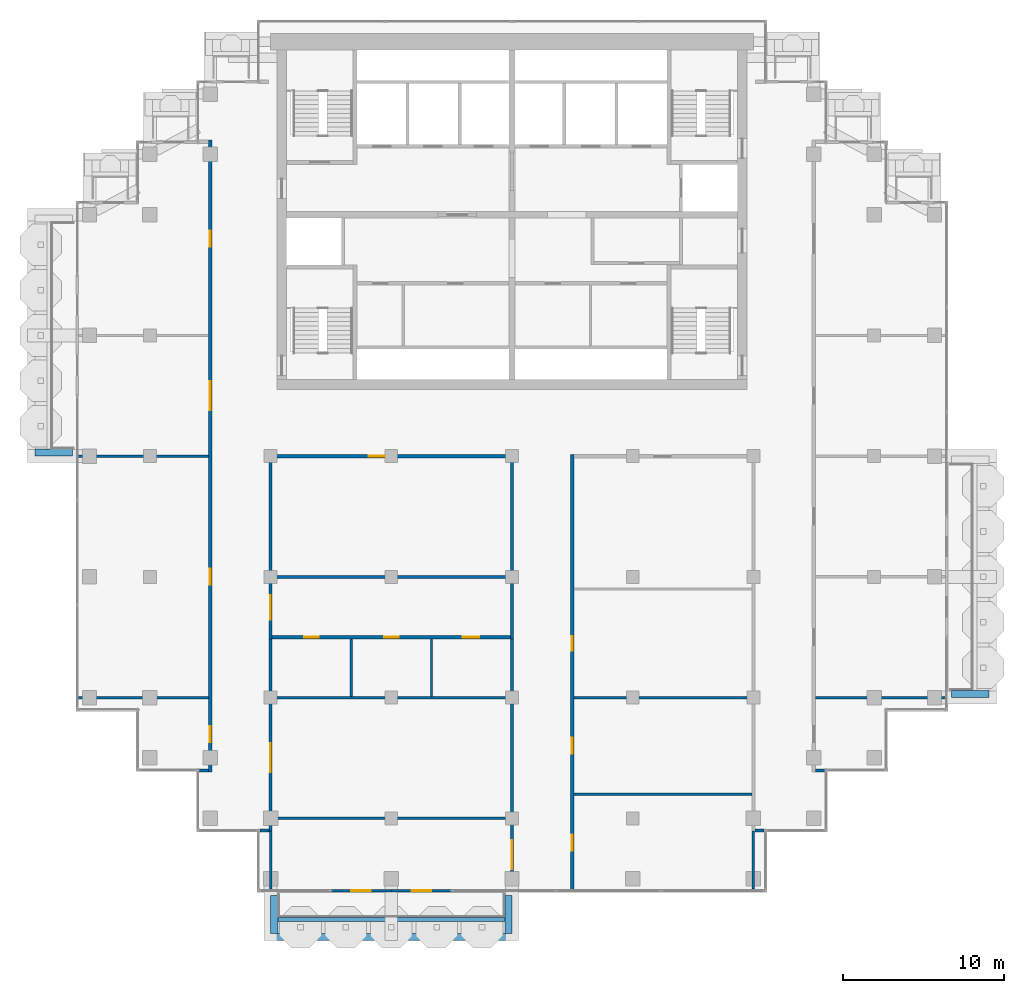
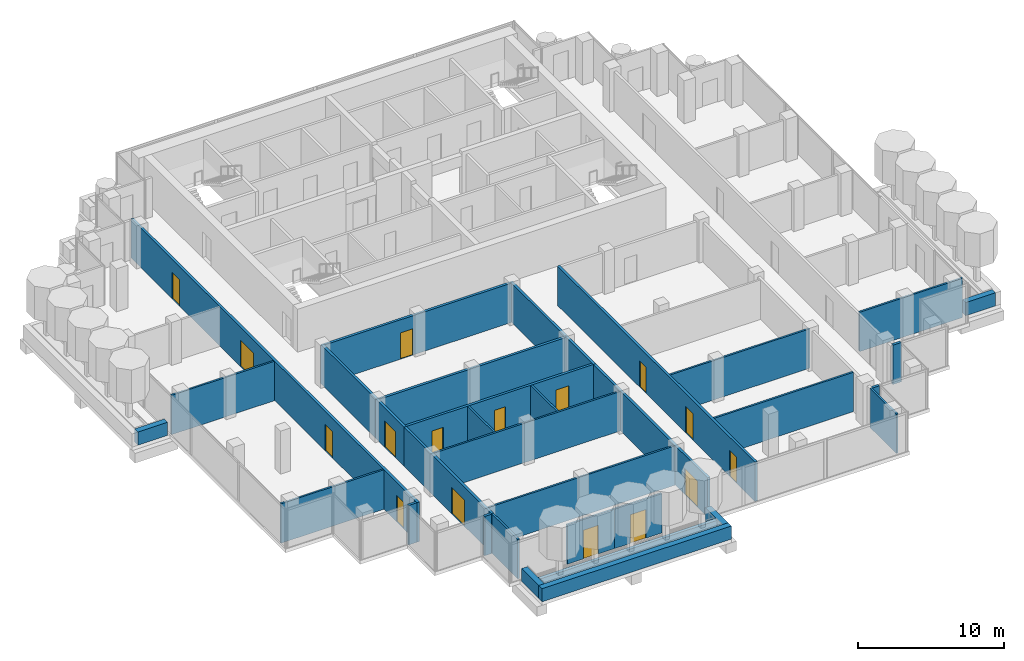
# One storey, part 11 of 18: 34 walls, 16 doors, 16 openings.
"""IFC4 building model written with IfcOpenShell, lengths in metres."""

from ifc_helpers import new_model, si_unit, direction, frame, frame_2d, origin, place, context, subcontext, project, spatial, rectangle, extrude, material, layer, layer_set, type_object, element, fill, save


model = new_model("IFC4")

# Units and contexts
model_context = context("Model", 3, precision=1e-05, world=origin(), true_north=direction((0.0, 1.0)))
body_context = subcontext(model_context, "Body", "Model", "MODEL_VIEW")
ifc_project = project(units=[si_unit("LENGTHUNIT", "METRE"), si_unit("AREAUNIT", "SQUARE_METRE"), si_unit("VOLUMEUNIT", "CUBIC_METRE"), si_unit("PLANEANGLEUNIT", "RADIAN"), si_unit("MASSUNIT", "GRAM", prefix="KILO")], contexts=[model_context])

# Site, building, storey
site_placement = place(None, origin())
site = spatial("IfcSite", under=ifc_project, at=site_placement, CompositionType="ELEMENT")
building_placement = place(site_placement, origin())
building = spatial("IfcBuilding", under=site, at=building_placement, Name="Pilkhan Gate Tower", CompositionType="ELEMENT")
storey_placement = place(building_placement, frame((0.0, 0.0, 242.699951171875)))
storey = spatial("IfcBuildingStorey", under=building, at=storey_placement, Name="L63", CompositionType="ELEMENT", Elevation=242.699951171875)

# Walls
ifc_material_1 = material(Name="Concrete C40/50", Category="concrete")
ifc_layer_1 = layer(ifc_material_1, 0.25)
ifc_layer_set_1 = layer_set([ifc_layer_1], Name="Balcony planter BP250")
wall_type_1 = type_object("IfcWallType", Name="Balcony planter BP250", PredefinedType="USERDEFINED", material=ifc_layer_set_1)
wall_1_placement = place(storey_placement, frame((60.449951171875, 38.72509765625, 0.0), z_axis=(0.0, 0.0, 1.0), x_axis=(1.0, 0.0, 0.0)))
element("IfcWall", 1, at=wall_1_placement, inside=storey, type_object=wall_type_1, Name="Balcony planter L63 S", ObjectType="BALCONY PLANTER", PredefinedType="USERDEFINED", context=body_context, shape_type="SweptSolid", body=[
    extrude(rectangle(XDim=14.10009765625, YDim=0.25, at=frame_2d((7.050048828125, 0.0))), origin(), (0.0, 0.0, 1.0), 1.0),
])
ifc_material_2 = material(Name="Board-marked Concrete C40/50", Category="concrete")
ifc_layer_2 = layer(ifc_material_2, 0.449951171875)
ifc_layer_set_2 = layer_set([ifc_layer_2], Name="Balcony planter lip BL450")
wall_type_2 = type_object("IfcWallType", Name="Balcony planter lip BL450", PredefinedType="USERDEFINED", material=ifc_layer_set_2)
wall_2_placement = place(storey_placement, frame((60.0, 37.625, 0.0), z_axis=(0.0, 0.0, 1.0), x_axis=(1.0, 0.0, 0.0)))
element("IfcWall", 2, at=wall_2_placement, inside=storey, type_object=wall_type_2, Name="Balcony planter L63 S", ObjectType="BALCONY PLANTER", PredefinedType="USERDEFINED", context=body_context, shape_type="SweptSolid", body=[
    extrude(rectangle(XDim=15.0, YDim=0.449951171875, at=frame_2d((7.5, 0.0))), origin(), (0.0, 0.0, 1.0), 1.10009765625),
])
for number, where, z_axis, x_axis, name in (
    (3, (60.22509765625, 40.199951171875, 0.0), (0.0, 0.0, 1.0), (0.0, -1.0, 0.0), "Balcony planter L63 S"),
    (4, (74.77490234375, 40.199951171875, 0.0), (0.0, 0.0, 1.0), (0.0, -1.0, 0.0), "Balcony planter L63 S"),
    (5, (102.300048828125, 52.72509765625, 0.0), (0.0, 0.0, 1.0), (1.0, 0.0, 0.0), "Balcony planter L63 E"),
    (6, (47.699951171875, 67.72509765625, 0.0), (0.0, 0.0, 1.0), (-1.0, 0.0, 0.0), "Balcony planter L63 W"),
):
    element("IfcWall", number, at=place(storey_placement, frame(where, z_axis=z_axis, x_axis=x_axis)), inside=storey, type_object=wall_type_2, Name=name, ObjectType="BALCONY PLANTER", PredefinedType="USERDEFINED", context=body_context, shape_type="SweptSolid", body=[
        extrude(rectangle(XDim=2.349853515625, YDim=0.449951171875, at=frame_2d((1.1748046875, 0.0))), origin(), (0.0, 0.0, 1.0), 1.10009765625),
    ])
ifc_material_3 = material(Name="Dense blockwork", Category="masonry")
ifc_layer_3 = layer(ifc_material_3, 0.199951171875)
ifc_layer_set_3 = layer_set([ifc_layer_3], Name="Corridor wall FW200")
wall_type_3 = type_object("IfcWallType", Name="Corridor wall FW200", PredefinedType="PARTITIONING", material=ifc_layer_set_3)
for number, where, z_axis, x_axis, name in (
    (7, (59.35498046875, 44.235107421875, 0.0), (0.0, 0.0, 1.0), (1.0, 0.0, 0.0), "Partition L63"),
    (8, (90.10009765625, 44.235107421875, 0.0), (0.0, 0.0, 1.0), (1.0, 0.0, 0.0), "Partition L63"),
):
    element("IfcWall", number, at=place(storey_placement, frame(where, z_axis=z_axis, x_axis=x_axis)), inside=storey, type_object=wall_type_3, Name=name, PredefinedType="PARTITIONING", context=body_context, shape_type="SweptSolid", body=[
        extrude(rectangle(XDim=0.544921875, YDim=0.199951171875, at=frame_2d((0.2724609375, 0.0))), origin(), (0.0, 0.0, 1.0), 3.300048828125),
    ])
for number, where, z_axis, x_axis, name in (
    (9, (55.485107421875, 47.969970703125, 0.0), (0.0, 0.0, 1.0), (1.0, 0.0, 0.0), "Partition L63"),
    (10, (93.85009765625, 47.969970703125, 0.0), (0.0, 0.0, 1.0), (1.0, 0.0, 0.0), "Partition L63"),
):
    element("IfcWall", number, at=place(storey_placement, frame(where, z_axis=z_axis, x_axis=x_axis)), inside=storey, type_object=wall_type_3, Name=name, PredefinedType="PARTITIONING", context=body_context, shape_type="SweptSolid", body=[
        extrude(rectangle(XDim=0.664794921875, YDim=0.199951171875, at=frame_2d((0.33251953125, 0.0))), origin(), (0.0, 0.0, 1.0), 3.300048828125),
    ])

# Wall, opening, door
wall_3_placement = place(storey_placement, frame((60.10009765625, 67.5, 0.0), z_axis=(0.0, 0.0, 1.0), x_axis=(1.0, 0.0, 0.0)))
wall_3 = element("IfcWall", 11, at=wall_3_placement, inside=storey, type_object=wall_type_3, Name="Partition L63", PredefinedType="PARTITIONING", context=body_context, shape_type="SweptSolid", body=[
    extrude(rectangle(XDim=14.7998046875, YDim=0.199951171875, at=frame_2d((7.39990234375, 0.0))), origin(), (0.0, 0.0, 1.0), 3.300048828125),
])
opening_1_placement = place(wall_3_placement, frame((6.0, 0.0, 0.0)))
opening_1 = element("IfcOpeningElement", 12, at=opening_1_placement, cuts=wall_3, Name="Opening L63-19", PredefinedType="OPENING", context=body_context, shape_type="SweptSolid", body=[
    extrude(rectangle(XDim=1.0, YDim=2.199951171875, at=frame_2d((0.5, 1.10009765625))), frame((0.0, 0.10986328125, 0.0), z_axis=(0.0, -1.0, 0.0), x_axis=(1.0, 0.0, 0.0)), (0.0, 0.0, 1.0), 0.219970703125),
])
ifc_material_4 = material(Name="Timber flush door, 30 minute fire resisting", Category="wood")
door_type_1 = type_object("IfcDoorType", Name="Room door D03 1000x2200", OperationType="SINGLE_SWING_LEFT", PredefinedType="DOOR", material=ifc_material_4)
door_1_placement = place(opening_1_placement, origin())
door_1 = element("IfcDoor", 13, at=door_1_placement, inside=storey, type_object=door_type_1, Name="Room door", OperationType="SINGLE_SWING_RIGHT", OverallHeight=2.199951171875, OverallWidth=1.0, PredefinedType="DOOR", context=body_context, shape_type="SweptSolid", body=[
    extrude(rectangle(XDim=1.0, YDim=2.199951171875, at=frame_2d((0.5, 1.10009765625))), frame((0.0, 0.02490234375, 0.0), z_axis=(0.0, -1.0, 0.0), x_axis=(1.0, 0.0, 0.0)), (0.0, 0.0, 1.0), 0.050048828125),
])
fill(opening_1, door_1)

# Wall, openings, doors
wall_4_placement = place(storey_placement, frame((56.25, 47.8701171875, 0.0), z_axis=(0.0, 0.0, 1.0), x_axis=(0.0, 1.0, 0.0)))
wall_4 = element("IfcWall", 14, at=wall_4_placement, inside=storey, type_object=wall_type_3, Name="Partition L63", PredefinedType="PARTITIONING", context=body_context, shape_type="SweptSolid", body=[
    extrude(rectangle(XDim=39.259765625, YDim=0.199951171875, at=frame_2d((19.6298828125, 0.0))), origin(), (0.0, 0.0, 1.0), 3.300048828125),
])
opening_2_placement = place(wall_4_placement, frame((1.85009765625, 0.0, 0.0)))
opening_2 = element("IfcOpeningElement", 15, at=opening_2_placement, cuts=wall_4, Name="Opening L63-24", PredefinedType="OPENING", context=body_context, shape_type="SweptSolid", body=[
    extrude(rectangle(XDim=1.0, YDim=2.199951171875, at=frame_2d((0.5, 1.10009765625))), frame((0.0, 0.10986328125, 0.0), z_axis=(0.0, -1.0, 0.0), x_axis=(1.0, 0.0, 0.0)), (0.0, 0.0, 1.0), 0.219970703125),
])
opening_3_placement = place(wall_4_placement, frame((11.6298828125, 0.0, 0.0)))
opening_3 = element("IfcOpeningElement", 16, at=opening_3_placement, cuts=wall_4, Name="Opening L63-25", PredefinedType="OPENING", context=body_context, shape_type="SweptSolid", body=[
    extrude(rectangle(XDim=1.0, YDim=2.199951171875, at=frame_2d((0.5, 1.10009765625))), frame((0.0, 0.10986328125, 0.0), z_axis=(0.0, -1.0, 0.0), x_axis=(1.0, 0.0, 0.0)), (0.0, 0.0, 1.0), 0.219970703125),
])
opening_4_placement = place(wall_4_placement, frame((22.47998046875, 0.0, 0.0)))
opening_4 = element("IfcOpeningElement", 17, at=opening_4_placement, cuts=wall_4, Name="Opening L63-26", PredefinedType="OPENING", context=body_context, shape_type="SweptSolid", body=[
    extrude(rectangle(XDim=1.800048828125, YDim=2.199951171875, at=frame_2d((0.89990234375, 1.10009765625))), frame((0.0, 0.10986328125, 0.0), z_axis=(0.0, -1.0, 0.0), x_axis=(1.0, 0.0, 0.0)), (0.0, 0.0, 1.0), 0.219970703125),
])
opening_5_placement = place(wall_4_placement, frame((32.6298828125, 0.0, 0.0)))
opening_5 = element("IfcOpeningElement", 18, at=opening_5_placement, cuts=wall_4, Name="Opening L63-31", PredefinedType="OPENING", context=body_context, shape_type="SweptSolid", body=[
    extrude(rectangle(XDim=1.0, YDim=2.199951171875, at=frame_2d((0.5, 1.10009765625))), frame((0.0, 0.10986328125, 0.0), z_axis=(0.0, -1.0, 0.0), x_axis=(1.0, 0.0, 0.0)), (0.0, 0.0, 1.0), 0.219970703125),
])
ifc_material_5 = material(Name="Timber glazed double door, 30 minute fire resisting", Category="wood")
door_type_2 = type_object("IfcDoorType", Name="Double door D04 1800x2200", OperationType="DOUBLE_DOOR_SINGLE_SWING", PredefinedType="DOOR", material=ifc_material_5)
door_2_placement = place(opening_4_placement, origin())
door_2 = element("IfcDoor", 19, at=door_2_placement, inside=storey, type_object=door_type_2, Name="Double door", OperationType="DOUBLE_DOOR_SINGLE_SWING", OverallHeight=2.199951171875, OverallWidth=1.800048828125, PredefinedType="DOOR", context=body_context, shape_type="SweptSolid", body=[
    extrude(rectangle(XDim=1.800048828125, YDim=2.199951171875, at=frame_2d((0.89990234375, 1.10009765625))), frame((0.0, 0.02490234375, 0.0), z_axis=(0.0, -1.0, 0.0), x_axis=(1.0, 0.0, 0.0)), (0.0, 0.0, 1.0), 0.050048828125),
])
fill(opening_4, door_2)
door_3_placement = place(opening_2_placement, origin())
door_3 = element("IfcDoor", 20, at=door_3_placement, inside=storey, type_object=door_type_1, Name="Room door", OperationType="SINGLE_SWING_RIGHT", OverallHeight=2.199951171875, OverallWidth=1.0, PredefinedType="DOOR", context=body_context, shape_type="SweptSolid", body=[
    extrude(rectangle(XDim=1.0, YDim=2.199951171875, at=frame_2d((0.5, 1.10009765625))), frame((0.0, 0.02490234375, 0.0), z_axis=(0.0, -1.0, 0.0), x_axis=(1.0, 0.0, 0.0)), (0.0, 0.0, 1.0), 0.050048828125),
])
fill(opening_2, door_3)
door_4_placement = place(opening_3_placement, origin())
door_4 = element("IfcDoor", 21, at=door_4_placement, inside=storey, type_object=door_type_1, Name="Room door", OperationType="SINGLE_SWING_LEFT", OverallHeight=2.199951171875, OverallWidth=1.0, PredefinedType="DOOR", context=body_context, shape_type="SweptSolid", body=[
    extrude(rectangle(XDim=1.0, YDim=2.199951171875, at=frame_2d((0.5, 1.10009765625))), frame((0.0, 0.02490234375, 0.0), z_axis=(0.0, -1.0, 0.0), x_axis=(1.0, 0.0, 0.0)), (0.0, 0.0, 1.0), 0.050048828125),
])
fill(opening_3, door_4)
door_5_placement = place(opening_5_placement, origin())
door_5 = element("IfcDoor", 22, at=door_5_placement, inside=storey, type_object=door_type_1, Name="Room door", OperationType="SINGLE_SWING_LEFT", OverallHeight=2.199951171875, OverallWidth=1.0, PredefinedType="DOOR", context=body_context, shape_type="SweptSolid", body=[
    extrude(rectangle(XDim=1.0, YDim=2.199951171875, at=frame_2d((0.5, 1.10009765625))), frame((0.0, 0.02490234375, 0.0), z_axis=(0.0, -1.0, 0.0), x_axis=(1.0, 0.0, 0.0)), (0.0, 0.0, 1.0), 0.050048828125),
])
fill(opening_5, door_5)

# Wall, opening, door
wall_5_placement = place(storey_placement, frame((60.0, 44.135009765625, 0.0), z_axis=(0.0, 0.0, 1.0), x_axis=(0.0, 1.0, 0.0)))
wall_5 = element("IfcWall", 23, at=wall_5_placement, inside=storey, type_object=wall_type_3, Name="Partition L63", PredefinedType="PARTITIONING", context=body_context, shape_type="SweptSolid", body=[
    extrude(rectangle(XDim=12.114990234375, YDim=0.199951171875, at=frame_2d((6.0576171875, 0.0))), origin(), (0.0, 0.0, 1.0), 3.300048828125),
])
opening_6_placement = place(wall_5_placement, frame((3.715087890625, 0.0, 0.0)))
opening_6 = element("IfcOpeningElement", 24, at=opening_6_placement, cuts=wall_5, Name="Opening L63-18", PredefinedType="OPENING", context=body_context, shape_type="SweptSolid", body=[
    extrude(rectangle(XDim=1.800048828125, YDim=2.199951171875, at=frame_2d((0.89990234375, 1.10009765625))), frame((0.0, 0.10986328125, 0.0), z_axis=(0.0, -1.0, 0.0), x_axis=(1.0, 0.0, 0.0)), (0.0, 0.0, 1.0), 0.219970703125),
])
door_6_placement = place(opening_6_placement, origin())
door_6 = element("IfcDoor", 25, at=door_6_placement, inside=storey, type_object=door_type_2, Name="Double door", OperationType="DOUBLE_DOOR_SINGLE_SWING", OverallHeight=2.199951171875, OverallWidth=1.800048828125, PredefinedType="DOOR", context=body_context, shape_type="SweptSolid", body=[
    extrude(rectangle(XDim=1.800048828125, YDim=2.199951171875, at=frame_2d((0.89990234375, 1.10009765625))), frame((0.0, 0.02490234375, 0.0), z_axis=(0.0, -1.0, 0.0), x_axis=(1.0, 0.0, 0.0)), (0.0, 0.0, 1.0), 0.050048828125),
])
fill(opening_6, door_6)

# Wall
wall_6_placement = place(storey_placement, frame((60.0, 60.0, 0.0), z_axis=(0.0, 0.0, 1.0), x_axis=(0.0, 1.0, 0.0)))
element("IfcWall", 26, at=wall_6_placement, inside=storey, type_object=wall_type_3, Name="Partition L63", PredefinedType="PARTITIONING", context=body_context, shape_type="SweptSolid", body=[
    extrude(rectangle(XDim=7.60009765625, YDim=0.199951171875, at=frame_2d((3.800048828125, 0.0))), origin(), (0.0, 0.0, 1.0), 3.300048828125),
])

# Wall, opening, door
wall_7_placement = place(storey_placement, frame((75.0, 40.485107421875, 0.0), z_axis=(0.0, 0.0, 1.0), x_axis=(0.0, 1.0, 0.0)))
wall_7 = element("IfcWall", 27, at=wall_7_placement, inside=storey, type_object=wall_type_3, Name="Partition L63", PredefinedType="PARTITIONING", context=body_context, shape_type="SweptSolid", body=[
    extrude(rectangle(XDim=15.764892578125, YDim=0.199951171875, at=frame_2d((7.88232421875, 0.0))), origin(), (0.0, 0.0, 1.0), 3.300048828125),
])
opening_7_placement = place(wall_7_placement, frame((1.35009765625, 0.0, 0.0)))
opening_7 = element("IfcOpeningElement", 28, at=opening_7_placement, cuts=wall_7, Name="Opening L63-17", PredefinedType="OPENING", context=body_context, shape_type="SweptSolid", body=[
    extrude(rectangle(XDim=1.800048828125, YDim=2.199951171875, at=frame_2d((0.89990234375, 1.10009765625))), frame((0.0, 0.10986328125, 0.0), z_axis=(0.0, -1.0, 0.0), x_axis=(1.0, 0.0, 0.0)), (0.0, 0.0, 1.0), 0.219970703125),
])
door_7_placement = place(opening_7_placement, origin())
door_7 = element("IfcDoor", 29, at=door_7_placement, inside=storey, type_object=door_type_2, Name="Double door", OperationType="DOUBLE_DOOR_SINGLE_SWING", OverallHeight=2.199951171875, OverallWidth=1.800048828125, PredefinedType="DOOR", context=body_context, shape_type="SweptSolid", body=[
    extrude(rectangle(XDim=1.800048828125, YDim=2.199951171875, at=frame_2d((0.89990234375, 1.10009765625))), frame((0.0, 0.02490234375, 0.0), z_axis=(0.0, -1.0, 0.0), x_axis=(1.0, 0.0, 0.0)), (0.0, 0.0, 1.0), 0.050048828125),
])
fill(opening_7, door_7)

# Wall
wall_8_placement = place(storey_placement, frame((75.0, 60.0, 0.0), z_axis=(0.0, 0.0, 1.0), x_axis=(0.0, 1.0, 0.0)))
element("IfcWall", 30, at=wall_8_placement, inside=storey, type_object=wall_type_3, Name="Partition L63", PredefinedType="PARTITIONING", context=body_context, shape_type="SweptSolid", body=[
    extrude(rectangle(XDim=7.60009765625, YDim=0.199951171875, at=frame_2d((3.800048828125, 0.0))), origin(), (0.0, 0.0, 1.0), 3.300048828125),
])

# Wall, openings, doors
wall_9_placement = place(storey_placement, frame((78.75, 40.485107421875, 0.0), z_axis=(0.0, 0.0, 1.0), x_axis=(0.0, 1.0, 0.0)))
wall_9 = element("IfcWall", 31, at=wall_9_placement, inside=storey, type_object=wall_type_3, Name="Partition L63", PredefinedType="PARTITIONING", context=body_context, shape_type="SweptSolid", body=[
    extrude(rectangle(XDim=27.114990234375, YDim=0.199951171875, at=frame_2d((13.5576171875, 0.0))), origin(), (0.0, 0.0, 1.0), 3.300048828125),
])
opening_8_placement = place(wall_9_placement, frame((2.5, 0.0, 0.0)))
opening_8 = element("IfcOpeningElement", 32, at=opening_8_placement, cuts=wall_9, Name="Opening L63-20", PredefinedType="OPENING", context=body_context, shape_type="SweptSolid", body=[
    extrude(rectangle(XDim=1.0, YDim=2.199951171875, at=frame_2d((0.5, 1.10009765625))), frame((0.0, 0.10986328125, 0.0), z_axis=(0.0, -1.0, 0.0), x_axis=(1.0, 0.0, 0.0)), (0.0, 0.0, 1.0), 0.219970703125),
])
opening_9_placement = place(wall_9_placement, frame((8.514892578125, 0.0, 0.0)))
opening_9 = element("IfcOpeningElement", 33, at=opening_9_placement, cuts=wall_9, Name="Opening L63-21", PredefinedType="OPENING", context=body_context, shape_type="SweptSolid", body=[
    extrude(rectangle(XDim=1.0, YDim=2.199951171875, at=frame_2d((0.5, 1.10009765625))), frame((0.0, 0.10986328125, 0.0), z_axis=(0.0, -1.0, 0.0), x_axis=(1.0, 0.0, 0.0)), (0.0, 0.0, 1.0), 0.219970703125),
])
opening_10_placement = place(wall_9_placement, frame((14.9150390625, 0.0, 0.0)))
opening_10 = element("IfcOpeningElement", 34, at=opening_10_placement, cuts=wall_9, Name="Opening L63-22", PredefinedType="OPENING", context=body_context, shape_type="SweptSolid", body=[
    extrude(rectangle(XDim=0.89990234375, YDim=2.199951171875, at=frame_2d((0.449951171875, 1.10009765625))), frame((0.0, 0.10986328125, 0.0), z_axis=(0.0, -1.0, 0.0), x_axis=(1.0, 0.0, 0.0)), (0.0, 0.0, 1.0), 0.219970703125),
])
door_8_placement = place(opening_8_placement, origin())
door_8 = element("IfcDoor", 35, at=door_8_placement, inside=storey, type_object=door_type_1, Name="Room door", OperationType="SINGLE_SWING_LEFT", OverallHeight=2.199951171875, OverallWidth=1.0, PredefinedType="DOOR", context=body_context, shape_type="SweptSolid", body=[
    extrude(rectangle(XDim=1.0, YDim=2.199951171875, at=frame_2d((0.5, 1.10009765625))), frame((0.0, 0.02490234375, 0.0), z_axis=(0.0, -1.0, 0.0), x_axis=(1.0, 0.0, 0.0)), (0.0, 0.0, 1.0), 0.050048828125),
])
fill(opening_8, door_8)
door_9_placement = place(opening_9_placement, origin())
door_9 = element("IfcDoor", 36, at=door_9_placement, inside=storey, type_object=door_type_1, Name="Room door", OperationType="SINGLE_SWING_LEFT", OverallHeight=2.199951171875, OverallWidth=1.0, PredefinedType="DOOR", context=body_context, shape_type="SweptSolid", body=[
    extrude(rectangle(XDim=1.0, YDim=2.199951171875, at=frame_2d((0.5, 1.10009765625))), frame((0.0, 0.02490234375, 0.0), z_axis=(0.0, -1.0, 0.0), x_axis=(1.0, 0.0, 0.0)), (0.0, 0.0, 1.0), 0.050048828125),
])
fill(opening_9, door_9)
ifc_material_6 = material(Name="Timber flush door, 60 minute fire resisting, self-closing", Category="wood")
door_type_3 = type_object("IfcDoorType", Name="Store door D05 900x2200", OperationType="SINGLE_SWING_LEFT", PredefinedType="DOOR", material=ifc_material_6)
door_10_placement = place(opening_10_placement, origin())
door_10 = element("IfcDoor", 37, at=door_10_placement, inside=storey, type_object=door_type_3, Name="Store door", OperationType="SINGLE_SWING_LEFT", OverallHeight=2.199951171875, OverallWidth=0.89990234375, PredefinedType="DOOR", context=body_context, shape_type="SweptSolid", body=[
    extrude(rectangle(XDim=0.89990234375, YDim=2.199951171875, at=frame_2d((0.449951171875, 1.10009765625))), frame((0.0, 0.02490234375, 0.0), z_axis=(0.0, -1.0, 0.0), x_axis=(1.0, 0.0, 0.0)), (0.0, 0.0, 1.0), 0.050048828125),
])
fill(opening_10, door_10)

# Wall, opening, door
ifc_material_7 = material(Name="Pale anodised aluminium, clear laminated glazing", Category="aluminium")
ifc_layer_4 = layer(ifc_material_7, 0.14990234375)
ifc_layer_set_4 = layer_set([ifc_layer_4], Name="Facade infill wall IW150")
wall_type_4 = type_object("IfcWallType", Name="Facade infill wall IW150", PredefinedType="SOLIDWALL", material=ifc_layer_set_4)
wall_10_placement = place(storey_placement, frame((63.75, 40.5, 0.0), z_axis=(0.0, 0.0, 1.0), x_axis=(1.0, 0.0, 0.0)))
wall_10 = element("IfcWall", 38, at=wall_10_placement, inside=storey, type_object=wall_type_4, Name="Infill wall L63 S", PredefinedType="SOLIDWALL", context=body_context, shape_type="SweptSolid", body=[
    extrude(rectangle(XDim=3.75, YDim=0.14990234375, at=frame_2d((1.875, 0.0))), origin(), (0.0, 0.0, 1.0), 3.300048828125),
])
opening_11_placement = place(wall_10_placement, frame((1.27490234375, 0.0, 0.0)))
opening_11 = element("IfcOpeningElement", 39, at=opening_11_placement, cuts=wall_10, Name="Opening D1", PredefinedType="OPENING", context=body_context, shape_type="SweptSolid", body=[
    extrude(rectangle(XDim=1.199951171875, YDim=2.39990234375, at=frame_2d((0.60009765625, 1.199951171875))), frame((0.0, 0.0849609375, 0.0), z_axis=(0.0, -1.0, 0.0), x_axis=(1.0, 0.0, 0.0)), (0.0, 0.0, 1.0), 0.169921875),
])
ifc_material_8 = material(Name="Pale anodised aluminium, clear glazing", Category="aluminium")
door_type_4 = type_object("IfcDoorType", Name="Balcony door D1 1200x2400", OperationType="SINGLE_SWING_LEFT", PredefinedType="DOOR", material=ifc_material_8)
door_11_placement = place(opening_11_placement, origin())
door_11 = element("IfcDoor", 40, at=door_11_placement, inside=storey, type_object=door_type_4, Name="Balcony door L63", OperationType="SINGLE_SWING_LEFT", OverallHeight=2.39990234375, OverallWidth=1.199951171875, PredefinedType="DOOR", context=body_context, shape_type="SweptSolid", body=[
    extrude(rectangle(XDim=1.199951171875, YDim=2.39990234375, at=frame_2d((0.60009765625, 1.199951171875))), frame((0.0, 0.02490234375, 0.0), z_axis=(0.0, -1.0, 0.0), x_axis=(1.0, 0.0, 0.0)), (0.0, 0.0, 1.0), 0.050048828125),
])
fill(opening_11, door_11)

wall_11_placement = place(storey_placement, frame((67.5, 40.5, 0.0), z_axis=(0.0, 0.0, 1.0), x_axis=(1.0, 0.0, 0.0)))
wall_11 = element("IfcWall", 41, at=wall_11_placement, inside=storey, type_object=wall_type_4, Name="Infill wall L63 S", PredefinedType="SOLIDWALL", context=body_context, shape_type="SweptSolid", body=[
    extrude(rectangle(XDim=3.75, YDim=0.14990234375, at=frame_2d((1.875, 0.0))), origin(), (0.0, 0.0, 1.0), 3.300048828125),
])
opening_12_placement = place(wall_11_placement, frame((1.27490234375, 0.0, 0.0)))
opening_12 = element("IfcOpeningElement", 42, at=opening_12_placement, cuts=wall_11, Name="Opening D1", PredefinedType="OPENING", context=body_context, shape_type="SweptSolid", body=[
    extrude(rectangle(XDim=1.199951171875, YDim=2.39990234375, at=frame_2d((0.60009765625, 1.199951171875))), frame((0.0, 0.0849609375, 0.0), z_axis=(0.0, -1.0, 0.0), x_axis=(1.0, 0.0, 0.0)), (0.0, 0.0, 1.0), 0.169921875),
])
door_12_placement = place(opening_12_placement, origin())
door_12 = element("IfcDoor", 43, at=door_12_placement, inside=storey, type_object=door_type_4, Name="Balcony door L63", OperationType="SINGLE_SWING_LEFT", OverallHeight=2.39990234375, OverallWidth=1.199951171875, PredefinedType="DOOR", context=body_context, shape_type="SweptSolid", body=[
    extrude(rectangle(XDim=1.199951171875, YDim=2.39990234375, at=frame_2d((0.60009765625, 1.199951171875))), frame((0.0, 0.02490234375, 0.0), z_axis=(0.0, -1.0, 0.0), x_axis=(1.0, 0.0, 0.0)), (0.0, 0.0, 1.0), 0.050048828125),
])
fill(opening_12, door_12)

# Wall, openings, doors
ifc_layer_5 = layer(ifc_material_3, 0.199951171875)
ifc_layer_set_5 = layer_set([ifc_layer_5], Name="Lobby wall LW200")
wall_type_5 = type_object("IfcWallType", Name="Lobby wall LW200", PredefinedType="PARTITIONING", material=ifc_layer_set_5)
wall_12_placement = place(storey_placement, frame((60.10009765625, 56.25, 0.0), z_axis=(0.0, 0.0, 1.0), x_axis=(1.0, 0.0, 0.0)))
wall_12 = element("IfcWall", 44, at=wall_12_placement, inside=storey, type_object=wall_type_5, Name="Partition L63", PredefinedType="PARTITIONING", context=body_context, shape_type="SweptSolid", body=[
    extrude(rectangle(XDim=14.7998046875, YDim=0.199951171875, at=frame_2d((7.39990234375, 0.0))), origin(), (0.0, 0.0, 1.0), 3.300048828125),
])
opening_13_placement = place(wall_12_placement, frame((2.0, 0.0, 0.0)))
opening_13 = element("IfcOpeningElement", 45, at=opening_13_placement, cuts=wall_12, Name="Opening L63-14", PredefinedType="OPENING", context=body_context, shape_type="SweptSolid", body=[
    extrude(rectangle(XDim=0.89990234375, YDim=2.199951171875, at=frame_2d((0.449951171875, 1.10009765625))), frame((0.0, 0.10986328125, 0.0), z_axis=(0.0, -1.0, 0.0), x_axis=(1.0, 0.0, 0.0)), (0.0, 0.0, 1.0), 0.219970703125),
])
opening_14_placement = place(wall_12_placement, frame((6.949951171875, 0.0, 0.0)))
opening_14 = element("IfcOpeningElement", 46, at=opening_14_placement, cuts=wall_12, Name="Opening L63-15", PredefinedType="OPENING", context=body_context, shape_type="SweptSolid", body=[
    extrude(rectangle(XDim=0.89990234375, YDim=2.199951171875, at=frame_2d((0.449951171875, 1.10009765625))), frame((0.0, 0.10986328125, 0.0), z_axis=(0.0, -1.0, 0.0), x_axis=(1.0, 0.0, 0.0)), (0.0, 0.0, 1.0), 0.219970703125),
])
opening_15_placement = place(wall_12_placement, frame((11.85009765625, 0.0, 0.0)))
opening_15 = element("IfcOpeningElement", 47, at=opening_15_placement, cuts=wall_12, Name="Opening L63-16", PredefinedType="OPENING", context=body_context, shape_type="SweptSolid", body=[
    extrude(rectangle(XDim=1.0, YDim=2.199951171875, at=frame_2d((0.5, 1.10009765625))), frame((0.0, 0.10986328125, 0.0), z_axis=(0.0, -1.0, 0.0), x_axis=(1.0, 0.0, 0.0)), (0.0, 0.0, 1.0), 0.219970703125),
])
ifc_material_9 = material(Name="Timber flush door, outward opening, 30 minute fire resisting", Category="wood")
door_type_5 = type_object("IfcDoorType", Name="Accessible toilet door D07 1000x2200", OperationType="SINGLE_SWING_LEFT", PredefinedType="DOOR", material=ifc_material_9)
door_13_placement = place(opening_15_placement, origin())
door_13 = element("IfcDoor", 48, at=door_13_placement, inside=storey, type_object=door_type_5, Name="Accessible toilet door", OperationType="SINGLE_SWING_LEFT", OverallHeight=2.199951171875, OverallWidth=1.0, PredefinedType="DOOR", context=body_context, shape_type="SweptSolid", body=[
    extrude(rectangle(XDim=1.0, YDim=2.199951171875, at=frame_2d((0.5, 1.10009765625))), frame((0.0, 0.02490234375, 0.0), z_axis=(0.0, -1.0, 0.0), x_axis=(1.0, 0.0, 0.0)), (0.0, 0.0, 1.0), 0.050048828125),
])
fill(opening_15, door_13)
door_type_6 = type_object("IfcDoorType", Name="Toilet door D06 900x2200", OperationType="SINGLE_SWING_LEFT", PredefinedType="DOOR", material=ifc_material_4)
door_14_placement = place(opening_13_placement, origin())
door_14 = element("IfcDoor", 49, at=door_14_placement, inside=storey, type_object=door_type_6, Name="Toilet door", OperationType="SINGLE_SWING_LEFT", OverallHeight=2.199951171875, OverallWidth=0.89990234375, PredefinedType="DOOR", context=body_context, shape_type="SweptSolid", body=[
    extrude(rectangle(XDim=0.89990234375, YDim=2.199951171875, at=frame_2d((0.449951171875, 1.10009765625))), frame((0.0, 0.02490234375, 0.0), z_axis=(0.0, -1.0, 0.0), x_axis=(1.0, 0.0, 0.0)), (0.0, 0.0, 1.0), 0.050048828125),
])
fill(opening_13, door_14)
door_15_placement = place(opening_14_placement, origin())
door_15 = element("IfcDoor", 50, at=door_15_placement, inside=storey, type_object=door_type_6, Name="Toilet door", OperationType="SINGLE_SWING_LEFT", OverallHeight=2.199951171875, OverallWidth=0.89990234375, PredefinedType="DOOR", context=body_context, shape_type="SweptSolid", body=[
    extrude(rectangle(XDim=0.89990234375, YDim=2.199951171875, at=frame_2d((0.449951171875, 1.10009765625))), frame((0.0, 0.02490234375, 0.0), z_axis=(0.0, -1.0, 0.0), x_axis=(1.0, 0.0, 0.0)), (0.0, 0.0, 1.0), 0.050048828125),
])
fill(opening_14, door_15)

# Wall
wall_13_placement = place(storey_placement, frame((60.10009765625, 60.0, 0.0), z_axis=(0.0, 0.0, 1.0), x_axis=(1.0, 0.0, 0.0)))
element("IfcWall", 51, at=wall_13_placement, inside=storey, type_object=wall_type_5, Name="Partition L63", PredefinedType="PARTITIONING", context=body_context, shape_type="SweptSolid", body=[
    extrude(rectangle(XDim=14.7998046875, YDim=0.199951171875, at=frame_2d((7.39990234375, 0.0))), origin(), (0.0, 0.0, 1.0), 3.300048828125),
])

# Wall, opening, door
wall_14_placement = place(storey_placement, frame((60.0, 56.14990234375, 0.0), z_axis=(0.0, 0.0, 1.0), x_axis=(0.0, 1.0, 0.0)))
wall_14 = element("IfcWall", 52, at=wall_14_placement, inside=storey, type_object=wall_type_5, Name="Partition L63", PredefinedType="PARTITIONING", context=body_context, shape_type="SweptSolid", body=[
    extrude(rectangle(XDim=3.9501953125, YDim=0.199951171875, at=frame_2d((1.97509765625, 0.0))), origin(), (0.0, 0.0, 1.0), 3.300048828125),
])
opening_16_placement = place(wall_14_placement, frame((1.199951171875, 0.0, 0.0)))
opening_16 = element("IfcOpeningElement", 53, at=opening_16_placement, cuts=wall_14, Name="Opening L63-13", PredefinedType="OPENING", context=body_context, shape_type="SweptSolid", body=[
    extrude(rectangle(XDim=1.5, YDim=2.199951171875, at=frame_2d((0.75, 1.10009765625))), frame((0.0, 0.10986328125, 0.0), z_axis=(0.0, -1.0, 0.0), x_axis=(1.0, 0.0, 0.0)), (0.0, 0.0, 1.0), 0.219970703125),
])
ifc_material_10 = material(Name="Steel framed glazed door, 60 minute fire resisting", Category="steel")
door_type_7 = type_object("IfcDoorType", Name="Lobby door D09 1500x2200", OperationType="DOUBLE_DOOR_SINGLE_SWING", PredefinedType="DOOR", material=ifc_material_10)
door_16_placement = place(opening_16_placement, origin())
door_16 = element("IfcDoor", 54, at=door_16_placement, inside=storey, type_object=door_type_7, Name="Lobby door", OperationType="DOUBLE_DOOR_SINGLE_SWING", OverallHeight=2.199951171875, OverallWidth=1.5, PredefinedType="DOOR", context=body_context, shape_type="SweptSolid", body=[
    extrude(rectangle(XDim=1.5, YDim=2.199951171875, at=frame_2d((0.75, 1.10009765625))), frame((0.0, 0.02490234375, 0.0), z_axis=(0.0, -1.0, 0.0), x_axis=(1.0, 0.0, 0.0)), (0.0, 0.0, 1.0), 0.050048828125),
])
fill(opening_16, door_16)

# Walls
wall_15_placement = place(storey_placement, frame((75.0, 56.14990234375, 0.0), z_axis=(0.0, 0.0, 1.0), x_axis=(0.0, 1.0, 0.0)))
element("IfcWall", 55, at=wall_15_placement, inside=storey, type_object=wall_type_5, Name="Partition L63", PredefinedType="PARTITIONING", context=body_context, shape_type="SweptSolid", body=[
    extrude(rectangle(XDim=3.9501953125, YDim=0.199951171875, at=frame_2d((1.97509765625, 0.0))), origin(), (0.0, 0.0, 1.0), 3.300048828125),
])
ifc_material_11 = material(Name="Blockwork partition, plastered both sides", Category="masonry")
ifc_layer_6 = layer(ifc_material_11, 0.14990234375)
ifc_layer_set_6 = layer_set([ifc_layer_6], Name="Partition PW150")
wall_type_6 = type_object("IfcWallType", Name="Partition PW150", PredefinedType="PARTITIONING", material=ifc_layer_set_6)
wall_16_placement = place(storey_placement, frame((60.10009765625, 45.0, 0.0), z_axis=(0.0, 0.0, 1.0), x_axis=(1.0, 0.0, 0.0)))
element("IfcWall", 56, at=wall_16_placement, inside=storey, type_object=wall_type_6, Name="Partition L63", PredefinedType="PARTITIONING", context=body_context, shape_type="SweptSolid", body=[
    extrude(rectangle(XDim=14.7998046875, YDim=0.14990234375, at=frame_2d((7.39990234375, 0.0))), origin(), (0.0, 0.0, 1.0), 3.300048828125),
])
wall_17_placement = place(storey_placement, frame((78.85009765625, 46.5, 0.0), z_axis=(0.0, 0.0, 1.0), x_axis=(1.0, 0.0, 0.0)))
element("IfcWall", 57, at=wall_17_placement, inside=storey, type_object=wall_type_6, Name="Partition L63", PredefinedType="PARTITIONING", context=body_context, shape_type="SweptSolid", body=[
    extrude(rectangle(XDim=11.0498046875, YDim=0.14990234375, at=frame_2d((5.52490234375, 0.0))), origin(), (0.0, 0.0, 1.0), 3.300048828125),
])
wall_18_placement = place(storey_placement, frame((47.985107421875, 52.5, 0.0), z_axis=(0.0, 0.0, 1.0), x_axis=(1.0, 0.0, 0.0)))
element("IfcWall", 58, at=wall_18_placement, inside=storey, type_object=wall_type_6, Name="Partition L63", PredefinedType="PARTITIONING", context=body_context, shape_type="SweptSolid", body=[
    extrude(rectangle(XDim=8.164794921875, YDim=0.14990234375, at=frame_2d((4.08251953125, 0.0))), origin(), (0.0, 0.0, 1.0), 3.300048828125),
])
wall_19_placement = place(storey_placement, frame((60.10009765625, 52.5, 0.0), z_axis=(0.0, 0.0, 1.0), x_axis=(1.0, 0.0, 0.0)))
element("IfcWall", 59, at=wall_19_placement, inside=storey, type_object=wall_type_6, Name="Partition L63", PredefinedType="PARTITIONING", context=body_context, shape_type="SweptSolid", body=[
    extrude(rectangle(XDim=14.7998046875, YDim=0.14990234375, at=frame_2d((7.39990234375, 0.0))), origin(), (0.0, 0.0, 1.0), 3.300048828125),
])
wall_20_placement = place(storey_placement, frame((78.85009765625, 52.5, 0.0), z_axis=(0.0, 0.0, 1.0), x_axis=(1.0, 0.0, 0.0)))
element("IfcWall", 60, at=wall_20_placement, inside=storey, type_object=wall_type_6, Name="Partition L63", PredefinedType="PARTITIONING", context=body_context, shape_type="SweptSolid", body=[
    extrude(rectangle(XDim=11.0498046875, YDim=0.14990234375, at=frame_2d((5.52490234375, 0.0))), origin(), (0.0, 0.0, 1.0), 3.300048828125),
])
for number, where, z_axis, x_axis, name in (
    (61, (93.85009765625, 52.5, 0.0), (0.0, 0.0, 1.0), (1.0, 0.0, 0.0), "Partition L63"),
    (62, (47.985107421875, 67.5, 0.0), (0.0, 0.0, 1.0), (1.0, 0.0, 0.0), "Partition L63"),
):
    element("IfcWall", number, at=place(storey_placement, frame(where, z_axis=z_axis, x_axis=x_axis)), inside=storey, type_object=wall_type_6, Name=name, PredefinedType="PARTITIONING", context=body_context, shape_type="SweptSolid", body=[
        extrude(rectangle(XDim=8.164794921875, YDim=0.14990234375, at=frame_2d((4.08251953125, 0.0))), origin(), (0.0, 0.0, 1.0), 3.300048828125),
    ])
wall_21_placement = place(storey_placement, frame((60.0, 40.60498046875, 0.0), z_axis=(0.0, 0.0, 1.0), x_axis=(0.0, 1.0, 0.0)))
element("IfcWall", 63, at=wall_21_placement, inside=storey, type_object=wall_type_6, Name="Partition L63", PredefinedType="PARTITIONING", context=body_context, shape_type="SweptSolid", body=[
    extrude(rectangle(XDim=3.60009765625, YDim=0.14990234375, at=frame_2d((1.800048828125, 0.0))), origin(), (0.0, 0.0, 1.0), 3.300048828125),
])
for number, where, z_axis, x_axis, name in (
    (64, (65.0, 52.574951171875, 0.0), (0.0, 0.0, 1.0), (0.0, 1.0, 0.0), "Partition L63"),
    (65, (70.0, 52.574951171875, 0.0), (0.0, 0.0, 1.0), (0.0, 1.0, 0.0), "Partition L63"),
):
    element("IfcWall", number, at=place(storey_placement, frame(where, z_axis=z_axis, x_axis=x_axis)), inside=storey, type_object=wall_type_6, Name=name, PredefinedType="PARTITIONING", context=body_context, shape_type="SweptSolid", body=[
        extrude(rectangle(XDim=3.574951171875, YDim=0.14990234375, at=frame_2d((1.78759765625, 0.0))), origin(), (0.0, 0.0, 1.0), 3.300048828125),
    ])
wall_22_placement = place(storey_placement, frame((90.0, 40.60498046875, 0.0), z_axis=(0.0, 0.0, 1.0), x_axis=(0.0, 1.0, 0.0)))
element("IfcWall", 66, at=wall_22_placement, inside=storey, type_object=wall_type_6, Name="Partition L63", PredefinedType="PARTITIONING", context=body_context, shape_type="SweptSolid", body=[
    extrude(rectangle(XDim=3.60009765625, YDim=0.14990234375, at=frame_2d((1.800048828125, 0.0))), origin(), (0.0, 0.0, 1.0), 3.300048828125),
])

save(model, "model.ifc")
